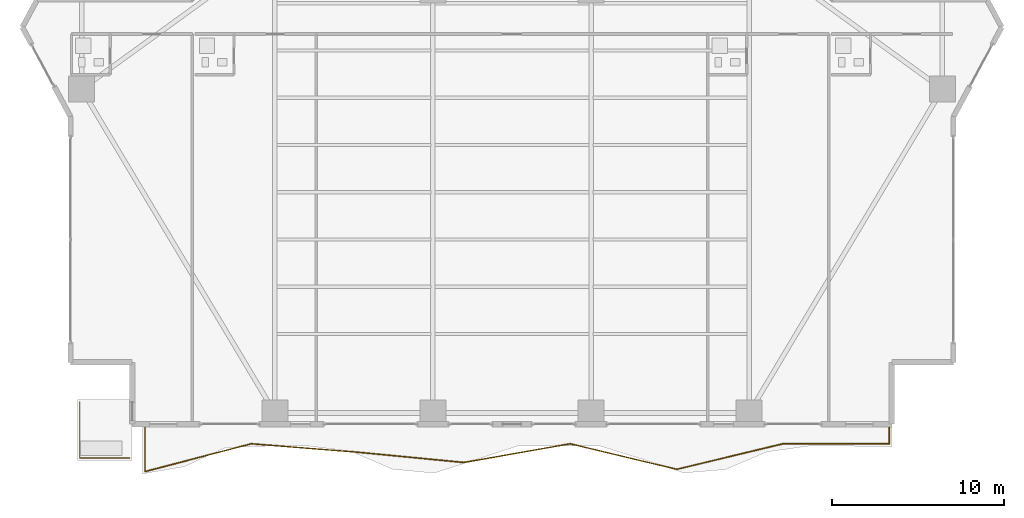
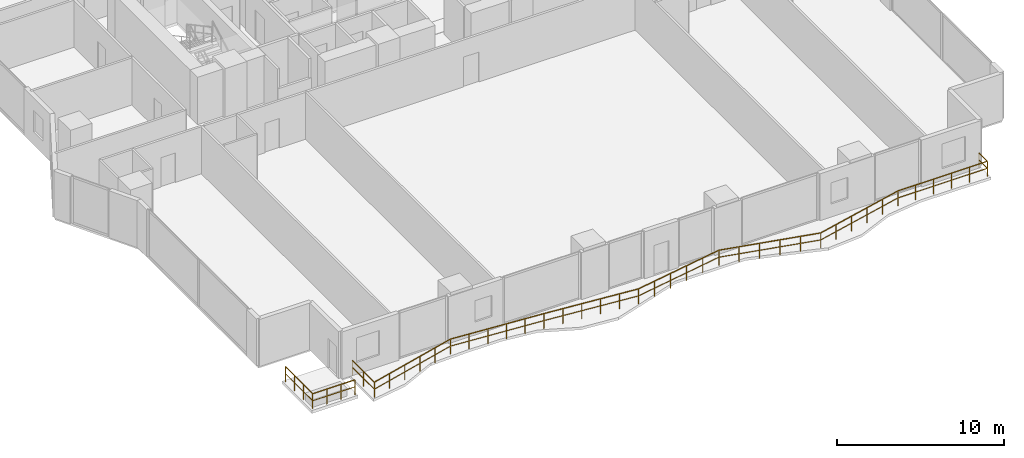
# One storey, part 24 of 28: 2 railings.
"""IFC4 building model written with IfcOpenShell, lengths in metres."""

from ifc_helpers import new_model, si_unit, direction, frame, origin, origin_2d, place, context, subcontext, project, spatial, rectangle, extrude, material, type_object, element, save


model = new_model("IFC4")

# Units and contexts
model_context = context("Model", 3, precision=1e-05, world=origin(), true_north=direction((0.0, 1.0)))
body_context = subcontext(model_context, "Body", "Model", "MODEL_VIEW")
ifc_project = project(units=[si_unit("LENGTHUNIT", "METRE"), si_unit("AREAUNIT", "SQUARE_METRE"), si_unit("VOLUMEUNIT", "CUBIC_METRE"), si_unit("PLANEANGLEUNIT", "RADIAN"), si_unit("MASSUNIT", "GRAM", prefix="KILO")], contexts=[model_context])

# Site, building, storey
site_placement = place(None, origin())
site = spatial("IfcSite", under=ifc_project, at=site_placement, CompositionType="ELEMENT")
building_placement = place(site_placement, origin())
building = spatial("IfcBuilding", under=site, at=building_placement, Name="Zuhayl Quay Hotel", CompositionType="ELEMENT")
storey_placement = place(building_placement, frame((0.0, 0.0, 71.39990234375)))
storey = spatial("IfcBuildingStorey", under=building, at=storey_placement, Name="L17", CompositionType="ELEMENT", Elevation=71.39990234375)

# Railings
ifc_material = material(Name="Anodised Aluminium and Laminated Glass", Category="aluminium")
railing_type = type_object("IfcRailingType", Name="RL_EXT_BAL_1100", PredefinedType="BALUSTRADE", material=ifc_material)
railing_1_placement = place(storey_placement, frame((-21.360107421875, -23.219970703125, 0.0)))
element("IfcRailing", 1, at=railing_1_placement, inside=storey, type_object=railing_type, Name="L17 Balcony and Terrace Guard GR_L17_BAL_S", PredefinedType="BALUSTRADE", context=body_context, shape_type="SweptSolid", body=[
    extrude(rectangle(XDim=0.048095703125, YDim=0.048095703125, at=origin_2d()), frame((0.0, 0.0, 1.09619140625), z_axis=(0.0, -1.0, 0.0), x_axis=(1.0, 0.0, 0.0)), (0.0, 0.0, 1.0), 2.638427734375),
    extrude(rectangle(XDim=0.0361328125, YDim=0.0361328125, at=origin_2d()), frame((0.0, 0.0, 0.58251953125), z_axis=(0.0, -1.0, 0.0), x_axis=(1.0, 0.0, 0.0)), (0.0, 0.0, 1.0), 2.638427734375),
    extrude(rectangle(XDim=0.048095703125, YDim=0.048095703125, at=origin_2d()), frame((0.0, -2.638427734375, 1.09619140625), z_axis=(0.967465921596, 0.253001364719, 0.0), x_axis=(-0.253001364719, 0.967465921596, 0.0)), (0.0, 0.0, 1.0), 6.396728515625),
    extrude(rectangle(XDim=0.0361328125, YDim=0.0361328125, at=origin_2d()), frame((0.0, -2.638427734375, 0.58251953125), z_axis=(0.967465921596, 0.253001364719, 0.0), x_axis=(-0.253001364719, 0.967465921596, 0.0)), (0.0, 0.0, 1.0), 6.396728515625),
    extrude(rectangle(XDim=0.048095703125, YDim=0.048095703125, at=origin_2d()), frame((6.188720703125, -1.02001953125, 1.09619140625), z_axis=(0.996842853375, -0.079399783847, 0.0), x_axis=(0.079399783847, 0.996842853375, 0.0)), (0.0, 0.0, 1.0), 6.2080078125),
    extrude(rectangle(XDim=0.0361328125, YDim=0.0361328125, at=origin_2d()), frame((6.188720703125, -1.02001953125, 0.58251953125), z_axis=(0.996842853375, -0.079399783847, 0.0), x_axis=(0.079399783847, 0.996842853375, 0.0)), (0.0, 0.0, 1.0), 6.2080078125),
    extrude(rectangle(XDim=0.048095703125, YDim=0.048095703125, at=origin_2d()), frame((12.377197265625, -1.512939453125, 1.09619140625), z_axis=(0.995391818218, -0.095891231216, 0.0), x_axis=(0.095891231216, 0.995391818218, 0.0)), (0.0, 0.0, 1.0), 6.21728515625),
    extrude(rectangle(XDim=0.0361328125, YDim=0.0361328125, at=origin_2d()), frame((12.377197265625, -1.512939453125, 0.58251953125), z_axis=(0.995391818218, -0.095891231216, 0.0), x_axis=(0.095891231216, 0.995391818218, 0.0)), (0.0, 0.0, 1.0), 6.21728515625),
    extrude(rectangle(XDim=0.048095703125, YDim=0.048095703125, at=origin_2d()), frame((18.56591796875, -2.109130859375, 1.09619140625), z_axis=(0.984864418944, 0.173326502008, 0.0), x_axis=(-0.173326502008, 0.984864418944, 0.0)), (0.0, 0.0, 1.0), 6.28369140625),
    extrude(rectangle(XDim=0.0361328125, YDim=0.0361328125, at=origin_2d()), frame((18.56591796875, -2.109130859375, 0.58251953125), z_axis=(0.984864418944, 0.173326502008, 0.0), x_axis=(-0.173326502008, 0.984864418944, 0.0)), (0.0, 0.0, 1.0), 6.28369140625),
    extrude(rectangle(XDim=0.048095703125, YDim=0.048095703125, at=origin_2d()), frame((24.75439453125, -1.02001953125, 1.09619140625), z_axis=(0.972315532238, -0.233671790698, 0.0), x_axis=(0.233671790698, 0.972315532238, 0.0)), (0.0, 0.0, 1.0), 6.364990234375),
    extrude(rectangle(XDim=0.0361328125, YDim=0.0361328125, at=origin_2d()), frame((24.75439453125, -1.02001953125, 0.58251953125), z_axis=(0.972315532238, -0.233671790698, 0.0), x_axis=(0.233671790698, 0.972315532238, 0.0)), (0.0, 0.0, 1.0), 6.364990234375),
    extrude(rectangle(XDim=0.048095703125, YDim=0.048095703125, at=origin_2d()), frame((30.943115234375, -2.50732421875, 1.09619140625), z_axis=(0.972313437724, 0.233680505863, 0.0), x_axis=(-0.233680505863, 0.972313437724, 0.0)), (0.0, 0.0, 1.0), 6.36474609375),
    extrude(rectangle(XDim=0.0361328125, YDim=0.0361328125, at=origin_2d()), frame((30.943115234375, -2.50732421875, 0.58251953125), z_axis=(0.972313437724, 0.233680505863, 0.0), x_axis=(-0.233680505863, 0.972313437724, 0.0)), (0.0, 0.0, 1.0), 6.36474609375),
    extrude(rectangle(XDim=0.048095703125, YDim=0.048095703125, at=origin_2d()), frame((37.131591796875, -1.02001953125, 1.09619140625), z_axis=(1.0, 0.0, 0.0), x_axis=(0.0, 1.0, 0.0)), (0.0, 0.0, 1.0), 6.1884765625),
    extrude(rectangle(XDim=0.0361328125, YDim=0.0361328125, at=origin_2d()), frame((37.131591796875, -1.02001953125, 0.58251953125), z_axis=(1.0, 0.0, 0.0), x_axis=(0.0, 1.0, 0.0)), (0.0, 0.0, 1.0), 6.1884765625),
    extrude(rectangle(XDim=0.048095703125, YDim=0.048095703125, at=origin_2d()), frame((43.320068359375, -1.02001953125, 1.09619140625), z_axis=(0.0, 1.0, 0.0), x_axis=(-1.0, 0.0, 0.0)), (0.0, 0.0, 1.0), 1.02001953125),
    extrude(rectangle(XDim=0.0361328125, YDim=0.0361328125, at=origin_2d()), frame((43.320068359375, -1.02001953125, 0.58251953125), z_axis=(0.0, 1.0, 0.0), x_axis=(-1.0, 0.0, 0.0)), (0.0, 0.0, 1.0), 1.02001953125),
    extrude(rectangle(XDim=0.0419921875, YDim=0.0419921875, at=origin_2d()), origin(), (0.0, 0.0, 1.0), 1.072021484375),
    extrude(rectangle(XDim=0.0419921875, YDim=0.0419921875, at=origin_2d()), frame((0.0, -1.3193359375, 0.0)), (0.0, 0.0, 1.0), 1.072021484375),
    extrude(rectangle(XDim=0.0419921875, YDim=0.0419921875, at=origin_2d()), frame((0.0, -2.638427734375, 0.0)), (0.0, 0.0, 1.0), 1.072021484375),
    extrude(rectangle(XDim=0.0419921875, YDim=0.0419921875, at=origin_2d()), frame((1.23779296875, -2.314697265625, 0.0)), (0.0, 0.0, 1.0), 1.072021484375),
    extrude(rectangle(XDim=0.0419921875, YDim=0.0419921875, at=origin_2d()), frame((2.4755859375, -1.990966796875, 0.0)), (0.0, 0.0, 1.0), 1.072021484375),
    extrude(rectangle(XDim=0.0419921875, YDim=0.0419921875, at=origin_2d()), frame((3.713134765625, -1.66748046875, 0.0)), (0.0, 0.0, 1.0), 1.072021484375),
    extrude(rectangle(XDim=0.0419921875, YDim=0.0419921875, at=origin_2d()), frame((4.950927734375, -1.34375, 0.0)), (0.0, 0.0, 1.0), 1.072021484375),
    extrude(rectangle(XDim=0.0419921875, YDim=0.0419921875, at=origin_2d()), frame((6.188720703125, -1.02001953125, 0.0)), (0.0, 0.0, 1.0), 1.072021484375),
    extrude(rectangle(XDim=0.0419921875, YDim=0.0419921875, at=origin_2d()), frame((7.426513671875, -1.11865234375, 0.0)), (0.0, 0.0, 1.0), 1.072021484375),
    extrude(rectangle(XDim=0.0419921875, YDim=0.0419921875, at=origin_2d()), frame((8.6640625, -1.21728515625, 0.0)), (0.0, 0.0, 1.0), 1.072021484375),
    extrude(rectangle(XDim=0.0419921875, YDim=0.0419921875, at=origin_2d()), frame((9.90185546875, -1.315673828125, 0.0)), (0.0, 0.0, 1.0), 1.072021484375),
    extrude(rectangle(XDim=0.0419921875, YDim=0.0419921875, at=origin_2d()), frame((11.139404296875, -1.414306640625, 0.0)), (0.0, 0.0, 1.0), 1.072021484375),
    extrude(rectangle(XDim=0.0419921875, YDim=0.0419921875, at=origin_2d()), frame((12.377197265625, -1.512939453125, 0.0)), (0.0, 0.0, 1.0), 1.072021484375),
    extrude(rectangle(XDim=0.0419921875, YDim=0.0419921875, at=origin_2d()), frame((13.614990234375, -1.632080078125, 0.0)), (0.0, 0.0, 1.0), 1.072021484375),
    extrude(rectangle(XDim=0.0419921875, YDim=0.0419921875, at=origin_2d()), frame((14.852783203125, -1.75146484375, 0.0)), (0.0, 0.0, 1.0), 1.072021484375),
    extrude(rectangle(XDim=0.0419921875, YDim=0.0419921875, at=origin_2d()), frame((16.09033203125, -1.87060546875, 0.0)), (0.0, 0.0, 1.0), 1.072021484375),
    extrude(rectangle(XDim=0.0419921875, YDim=0.0419921875, at=origin_2d()), frame((17.328125, -1.989990234375, 0.0)), (0.0, 0.0, 1.0), 1.072021484375),
    extrude(rectangle(XDim=0.0419921875, YDim=0.0419921875, at=origin_2d()), frame((18.56591796875, -2.109130859375, 0.0)), (0.0, 0.0, 1.0), 1.072021484375),
    extrude(rectangle(XDim=0.0419921875, YDim=0.0419921875, at=origin_2d()), frame((19.8037109375, -1.891357421875, 0.0)), (0.0, 0.0, 1.0), 1.072021484375),
    extrude(rectangle(XDim=0.0419921875, YDim=0.0419921875, at=origin_2d()), frame((21.041259765625, -1.673583984375, 0.0)), (0.0, 0.0, 1.0), 1.072021484375),
    extrude(rectangle(XDim=0.0419921875, YDim=0.0419921875, at=origin_2d()), frame((22.279052734375, -1.45556640625, 0.0)), (0.0, 0.0, 1.0), 1.072021484375),
    extrude(rectangle(XDim=0.0419921875, YDim=0.0419921875, at=origin_2d()), frame((23.5166015625, -1.23779296875, 0.0)), (0.0, 0.0, 1.0), 1.072021484375),
    extrude(rectangle(XDim=0.0419921875, YDim=0.0419921875, at=origin_2d()), frame((24.75439453125, -1.02001953125, 0.0)), (0.0, 0.0, 1.0), 1.072021484375),
    extrude(rectangle(XDim=0.0419921875, YDim=0.0419921875, at=origin_2d()), frame((25.9921875, -1.3173828125, 0.0)), (0.0, 0.0, 1.0), 1.072021484375),
    extrude(rectangle(XDim=0.0419921875, YDim=0.0419921875, at=origin_2d()), frame((27.22998046875, -1.614990234375, 0.0)), (0.0, 0.0, 1.0), 1.072021484375),
    extrude(rectangle(XDim=0.0419921875, YDim=0.0419921875, at=origin_2d()), frame((28.467529296875, -1.912353515625, 0.0)), (0.0, 0.0, 1.0), 1.072021484375),
    extrude(rectangle(XDim=0.0419921875, YDim=0.0419921875, at=origin_2d()), frame((29.705322265625, -2.2099609375, 0.0)), (0.0, 0.0, 1.0), 1.072021484375),
    extrude(rectangle(XDim=0.0419921875, YDim=0.0419921875, at=origin_2d()), frame((30.943115234375, -2.50732421875, 0.0)), (0.0, 0.0, 1.0), 1.072021484375),
    extrude(rectangle(XDim=0.0419921875, YDim=0.0419921875, at=origin_2d()), frame((32.180908203125, -2.2099609375, 0.0)), (0.0, 0.0, 1.0), 1.072021484375),
    extrude(rectangle(XDim=0.0419921875, YDim=0.0419921875, at=origin_2d()), frame((33.41845703125, -1.912353515625, 0.0)), (0.0, 0.0, 1.0), 1.072021484375),
    extrude(rectangle(XDim=0.0419921875, YDim=0.0419921875, at=origin_2d()), frame((34.65625, -1.614990234375, 0.0)), (0.0, 0.0, 1.0), 1.072021484375),
    extrude(rectangle(XDim=0.0419921875, YDim=0.0419921875, at=origin_2d()), frame((35.893798828125, -1.3173828125, 0.0)), (0.0, 0.0, 1.0), 1.072021484375),
    extrude(rectangle(XDim=0.0419921875, YDim=0.0419921875, at=origin_2d()), frame((37.131591796875, -1.02001953125, 0.0)), (0.0, 0.0, 1.0), 1.072021484375),
    extrude(rectangle(XDim=0.0419921875, YDim=0.0419921875, at=origin_2d()), frame((38.369384765625, -1.02001953125, 0.0)), (0.0, 0.0, 1.0), 1.072021484375),
    extrude(rectangle(XDim=0.0419921875, YDim=0.0419921875, at=origin_2d()), frame((39.60693359375, -1.02001953125, 0.0)), (0.0, 0.0, 1.0), 1.072021484375),
    extrude(rectangle(XDim=0.0419921875, YDim=0.0419921875, at=origin_2d()), frame((40.8447265625, -1.02001953125, 0.0)), (0.0, 0.0, 1.0), 1.072021484375),
    extrude(rectangle(XDim=0.0419921875, YDim=0.0419921875, at=origin_2d()), frame((42.082275390625, -1.02001953125, 0.0)), (0.0, 0.0, 1.0), 1.072021484375),
    extrude(rectangle(XDim=0.0419921875, YDim=0.0419921875, at=origin_2d()), frame((43.320068359375, -1.02001953125, 0.0)), (0.0, 0.0, 1.0), 1.072021484375),
    extrude(rectangle(XDim=0.0419921875, YDim=0.0419921875, at=origin_2d()), frame((43.320068359375, 0.0, 0.0)), (0.0, 0.0, 1.0), 1.072021484375),
])
railing_2_placement = place(storey_placement, frame((-25.159912109375, -21.7900390625, 0.0)))
element("IfcRailing", 2, at=railing_2_placement, inside=storey, type_object=railing_type, Name="L17 Balcony and Terrace Guard GR_L17_SPIRAL_SW", PredefinedType="BALUSTRADE", context=body_context, shape_type="SweptSolid", body=[
    extrude(rectangle(XDim=0.048095703125, YDim=0.048095703125, at=origin_2d()), frame((0.0, 0.0, 1.09619140625), z_axis=(0.0, -1.0, 0.0), x_axis=(1.0, 0.0, 0.0)), (0.0, 0.0, 1.0), 3.27001953125),
    extrude(rectangle(XDim=0.0361328125, YDim=0.0361328125, at=origin_2d()), frame((0.0, 0.0, 0.58251953125), z_axis=(0.0, -1.0, 0.0), x_axis=(1.0, 0.0, 0.0)), (0.0, 0.0, 1.0), 3.27001953125),
    extrude(rectangle(XDim=0.048095703125, YDim=0.048095703125, at=origin_2d()), frame((0.0, -3.27001953125, 1.09619140625), z_axis=(1.0, 0.0, 0.0), x_axis=(0.0, 1.0, 0.0)), (0.0, 0.0, 1.0), 2.919921875),
    extrude(rectangle(XDim=0.0361328125, YDim=0.0361328125, at=origin_2d()), frame((0.0, -3.27001953125, 0.58251953125), z_axis=(1.0, 0.0, 0.0), x_axis=(0.0, 1.0, 0.0)), (0.0, 0.0, 1.0), 2.919921875),
    extrude(rectangle(XDim=0.0419921875, YDim=0.0419921875, at=origin_2d()), origin(), (0.0, 0.0, 1.0), 1.072021484375),
    extrude(rectangle(XDim=0.0419921875, YDim=0.0419921875, at=origin_2d()), frame((0.0, -1.090087890625, 0.0)), (0.0, 0.0, 1.0), 1.072021484375),
    extrude(rectangle(XDim=0.0419921875, YDim=0.0419921875, at=origin_2d()), frame((0.0, -2.179931640625, 0.0)), (0.0, 0.0, 1.0), 1.072021484375),
    extrude(rectangle(XDim=0.0419921875, YDim=0.0419921875, at=origin_2d()), frame((0.0, -3.27001953125, 0.0)), (0.0, 0.0, 1.0), 1.072021484375),
    extrude(rectangle(XDim=0.0419921875, YDim=0.0419921875, at=origin_2d()), frame((0.973388671875, -3.27001953125, 0.0)), (0.0, 0.0, 1.0), 1.072021484375),
    extrude(rectangle(XDim=0.0419921875, YDim=0.0419921875, at=origin_2d()), frame((1.946533203125, -3.27001953125, 0.0)), (0.0, 0.0, 1.0), 1.072021484375),
    extrude(rectangle(XDim=0.0419921875, YDim=0.0419921875, at=origin_2d()), frame((2.919921875, -3.27001953125, 0.0)), (0.0, 0.0, 1.0), 1.072021484375),
])

save(model, "model.ifc")
